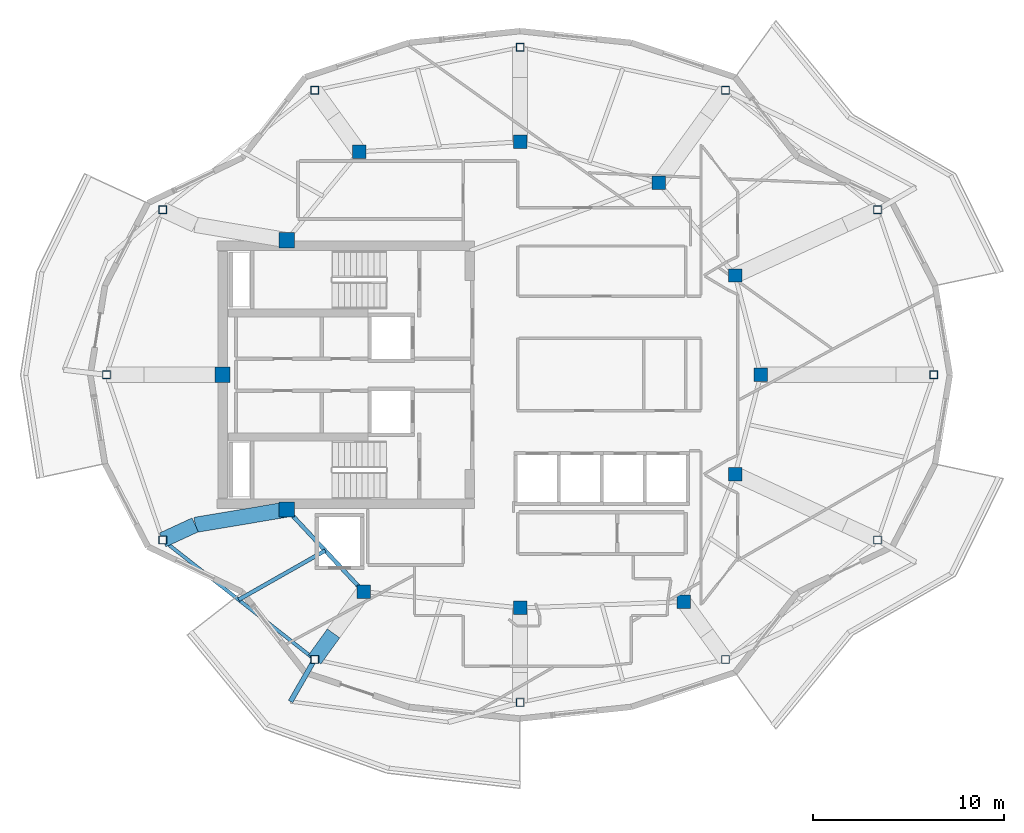
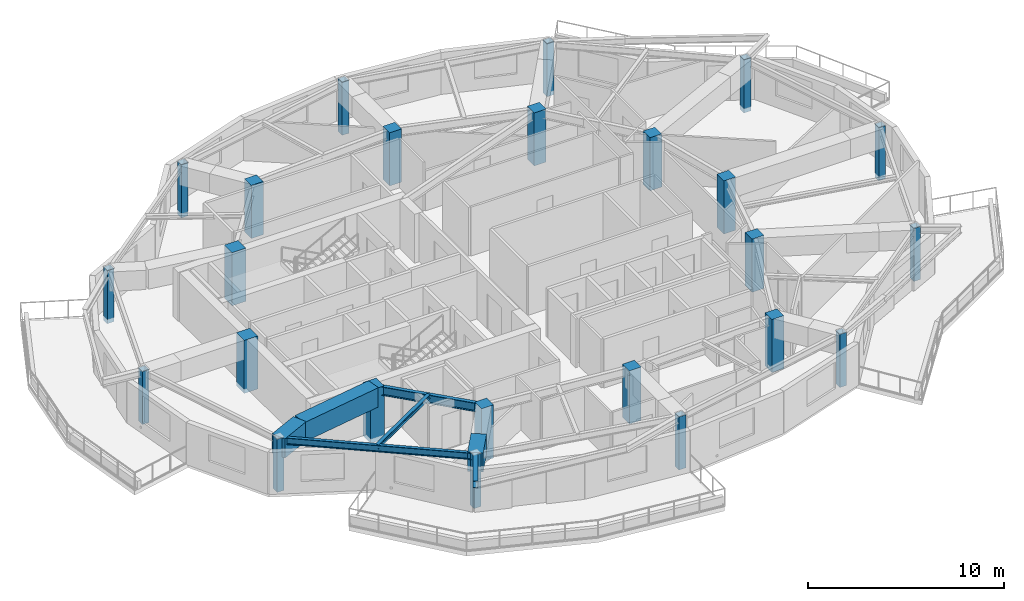
# One storey, part 1 of 11: 24 columns, 7 beams.
"""IFC4 building model written with IfcOpenShell, lengths in metres."""

from ifc_helpers import new_model, si_unit, direction, frame, origin, origin_2d, place, context, subcontext, project, spatial, rectangle, hollow_rectangle, i_section, extrude, material, material_profile, profile_set, type_object, element, save


model = new_model("IFC4")

# Units and contexts
model_context = context("Model", 3, precision=1e-05, world=origin(), true_north=direction((0.0, 1.0)))
body_context = subcontext(model_context, "Body", "Model", "MODEL_VIEW")
ifc_project = project(units=[si_unit("LENGTHUNIT", "METRE"), si_unit("AREAUNIT", "SQUARE_METRE"), si_unit("VOLUMEUNIT", "CUBIC_METRE"), si_unit("PLANEANGLEUNIT", "RADIAN"), si_unit("MASSUNIT", "GRAM", prefix="KILO")], contexts=[model_context])

# Site, building, storey
site_placement = place(None, origin())
site = spatial("IfcSite", under=ifc_project, at=site_placement, CompositionType="ELEMENT")
building_placement = place(site_placement, origin())
building = spatial("IfcBuilding", under=site, at=building_placement, Name="Kolvaren Gate Tower and Convention Centre", CompositionType="ELEMENT")
storey_placement = place(building_placement, frame((0.0, 0.0, 255.800048828125)))
storey = spatial("IfcBuildingStorey", under=building, at=storey_placement, Name="L69", CompositionType="ELEMENT", Elevation=255.800048828125)

# Columns
ifc_material_1 = material(Name="Structural steel ASTM A500 Grade C 345 MPa", Category="steel")
ifc_material_profile_1 = material_profile(ifc_material_1, hollow_rectangle(XDim=0.406005859375, YDim=0.406005859375, WallThickness=0.015869140625, at=origin_2d()), Name="HSS406X406X15.9")
ifc_profile_set_1 = profile_set([ifc_material_profile_1], Name="Structural steel ASTM A500 Grade C 345 MPa")
column_type_1 = type_object("IfcColumnType", Name="STR-COL-HSS406", PredefinedType="COLUMN", material=ifc_profile_set_1)
for number, where, z_axis, x_axis, name in (
    (1, (51.77490234375, 27.0, -0.27001953125), (0.0, 0.0, 1.0), (1.0, 0.0, 0.0), "Tower L69 Perimeter Supercolumn TP-01"),
    (2, (48.8388671875, 35.6435546875, -0.27001953125), (0.0, 0.0, 1.0), (1.0, 0.0, 0.0), "Tower L69 Perimeter Supercolumn TP-02"),
    (3, (40.877685546875, 41.899169921875, -0.27001953125), (0.0, 0.0, 1.0), (1.0, 0.0, 0.0), "Tower L69 Perimeter Supercolumn TP-03"),
    (4, (30.125, 44.14990234375, -0.27001953125), (0.0, 0.0, 1.0), (1.0, 0.0, 0.0), "Tower L69 Perimeter Supercolumn TP-04"),
    (5, (19.372314453125, 41.899169921875, -0.27001953125), (0.0, 0.0, 1.0), (1.0, 0.0, 0.0), "Tower L69 Perimeter Supercolumn TP-05"),
    (6, (11.4111328125, 35.6435546875, -0.27001953125), (0.0, 0.0, 1.0), (1.0, 0.0, 0.0), "Tower L69 Perimeter Supercolumn TP-06"),
    (7, (8.47509765625, 27.0, -0.27001953125), (0.0, 0.0, 1.0), (1.0, 0.0, 0.0), "Tower L69 Perimeter Supercolumn TP-07"),
    (8, (11.4111328125, 18.3564453125, -0.27001953125), (0.0, 0.0, 1.0), (1.0, 0.0, 0.0), "Tower L69 Perimeter Supercolumn TP-08"),
    (9, (19.372314453125, 12.100830078125, -0.27001953125), (0.0, 0.0, 1.0), (1.0, 0.0, 0.0), "Tower L69 Perimeter Supercolumn TP-09"),
    (10, (30.125, 9.85009765625, -0.27001953125), (0.0, 0.0, 1.0), (1.0, 0.0, 0.0), "Tower L69 Perimeter Supercolumn TP-10"),
    (11, (40.877685546875, 12.100830078125, -0.27001953125), (0.0, 0.0, 1.0), (1.0, 0.0, 0.0), "Tower L69 Perimeter Supercolumn TP-11"),
    (12, (48.8388671875, 18.3564453125, -0.27001953125), (0.0, 0.0, 1.0), (1.0, 0.0, 0.0), "Tower L69 Perimeter Supercolumn TP-12"),
):
    element("IfcColumn", number, at=place(storey_placement, frame(where, z_axis=z_axis, x_axis=x_axis)), inside=storey, type_object=column_type_1, Name=name, PredefinedType="COLUMN", context=body_context, shape_type="SweptSolid", body=[
        extrude(hollow_rectangle(XDim=0.406005859375, YDim=0.406005859375, WallThickness=0.015869140625, at=origin_2d()), origin(), (0.0, 0.0, 1.0), 3.300048828125),
    ])
ifc_material_2 = material(Name="Concrete C50/60", Category="concrete")
ifc_material_profile_2 = material_profile(ifc_material_2, rectangle(XDim=0.699951171875, YDim=0.699951171875, at=origin_2d()), Name="RC-COL-700X700")
ifc_profile_set_2 = profile_set([ifc_material_profile_2], Name="Concrete C50/60")
column_type_2 = type_object("IfcColumnType", Name="STR-COL-RC700", PredefinedType="COLUMN", material=ifc_profile_set_2)
for number, where, z_axis, x_axis, name in (
    (13, (42.72509765625, 27.0, -0.27001953125), (0.0, 0.0, 1.0), (1.0, 0.0, 0.0), "Tower L69 Interior Column TI-01"),
    (14, (41.382080078125, 32.199462890625, -0.27001953125), (0.0, 0.0, 1.0), (1.0, 0.0, 0.0), "Tower L69 Interior Column TI-02"),
    (15, (37.381591796875, 37.054931640625, -0.27001953125), (0.0, 0.0, 1.0), (1.0, 0.0, 0.0), "Tower L69 Interior Column TI-03"),
    (16, (30.125, 39.199951171875, -0.27001953125), (0.0, 0.0, 1.0), (1.0, 0.0, 0.0), "Tower L69 Interior Column TI-04"),
    (17, (21.697998046875, 38.6767578125, -0.27001953125), (0.0, 0.0, 1.0), (1.0, 0.0, 0.0), "Tower L69 Interior Column TI-05"),
    (18, (21.93212890625, 15.647705078125, -0.27001953125), (0.0, 0.0, 1.0), (1.0, 0.0, 0.0), "Tower L69 Interior Column TI-06"),
    (19, (30.125, 14.800048828125, -0.27001953125), (0.0, 0.0, 1.0), (1.0, 0.0, 0.0), "Tower L69 Interior Column TI-07"),
    (20, (38.6982421875, 15.12060546875, -0.27001953125), (0.0, 0.0, 1.0), (1.0, 0.0, 0.0), "Tower L69 Interior Column TI-08"),
    (21, (41.382080078125, 21.800537109375, -0.27001953125), (0.0, 0.0, 1.0), (1.0, 0.0, 0.0), "Tower L69 Interior Column TI-09"),
):
    element("IfcColumn", number, at=place(storey_placement, frame(where, z_axis=z_axis, x_axis=x_axis)), inside=storey, type_object=column_type_2, Name=name, PredefinedType="COLUMN", context=body_context, shape_type="SweptSolid", body=[
        extrude(rectangle(XDim=0.699951171875, YDim=0.699951171875, at=origin_2d()), origin(), (0.0, 0.0, 1.0), 3.300048828125),
    ])
ifc_material_3 = material(Name="Concrete C60/75", Category="concrete")
ifc_material_profile_3 = material_profile(ifc_material_3, rectangle(XDim=0.800048828125, YDim=0.800048828125, at=origin_2d()), Name="RC-COL-800X800")
ifc_profile_set_3 = profile_set([ifc_material_profile_3], Name="Concrete C60/75")
column_type_3 = type_object("IfcColumnType", Name="STR-PIL-RC800", PredefinedType="PILASTER", material=ifc_profile_set_3)
for number, where, z_axis, x_axis, name in (
    (22, (17.9140625, 34.050048828125, -0.27001953125), (0.0, 0.0, 1.0), (1.0, 0.0, 0.0), "Tower L69 Core Boundary Pilaster TC-05"),
    (23, (14.550048828125, 27.0, -0.27001953125), (0.0, 0.0, 1.0), (1.0, 0.0, 0.0), "Tower L69 Core Boundary Pilaster TC-06"),
    (24, (17.9140625, 19.949951171875, -0.27001953125), (0.0, 0.0, 1.0), (1.0, 0.0, 0.0), "Tower L69 Core Boundary Pilaster TC-07"),
):
    element("IfcColumn", number, at=place(storey_placement, frame(where, z_axis=z_axis, x_axis=x_axis)), inside=storey, type_object=column_type_3, Name=name, PredefinedType="PILASTER", context=body_context, shape_type="SweptSolid", body=[
        extrude(rectangle(XDim=0.800048828125, YDim=0.800048828125, at=origin_2d()), origin(), (0.0, 0.0, 1.0), 3.300048828125),
    ])

# Beams
ifc_material_4 = material(Name="Structural steel ASTM A992 Grade 345 MPa", Category="steel")
ifc_material_profile_4 = material_profile(ifc_material_4, i_section(OverallWidth=0.260009765625, OverallDepth=0.419921875, WebThickness=0.013427734375, FlangeThickness=0.0224609375, at=origin_2d()), Name="W410X132")
ifc_profile_set_4 = profile_set([ifc_material_profile_4], Name="Structural steel ASTM A992 Grade 345 MPa")
beam_type_1 = type_object("IfcBeamType", Name="STR-BM-W410X132", PredefinedType="BEAM", material=ifc_profile_set_4)
beam_1_placement = place(storey_placement, frame((19.372314453125, 12.100830078125, 2.820556640625), z_axis=(-0.497949174437, -0.867206215198, 0.0), x_axis=(0.867206215198, -0.497949174437, 0.0)))
element("IfcBeam", 25, at=beam_1_placement, inside=storey, type_object=beam_type_1, Name="Tower L70 Planted Balcony Outrigger Cantilever BC-3A", PredefinedType="BEAM", context=body_context, shape_type="SweptSolid", body=[
    extrude(i_section(OverallWidth=0.260009765625, OverallDepth=0.419921875, WebThickness=0.013427734375, FlangeThickness=0.0224609375, at=origin_2d()), origin(), (0.0, 0.0, 1.0), 2.540283203125),
])
ifc_material_profile_5 = material_profile(ifc_material_4, i_section(OverallWidth=0.2119140625, OverallDepth=0.5439453125, WebThickness=0.01318359375, FlangeThickness=0.021240234375, at=origin_2d()), Name="W530X123")
ifc_profile_set_5 = profile_set([ifc_material_profile_5], Name="Structural steel ASTM A992 Grade 345 MPa")
beam_type_2 = type_object("IfcBeamType", Name="STR-BM-W530X123", PredefinedType="BEAM", material=ifc_profile_set_5)
beam_2_placement = place(storey_placement, frame((17.9140625, 19.949951171875, 2.758056640625), z_axis=(0.682557592987, -0.730831808459, 0.0), x_axis=(0.730831808459, 0.682557592987, 0.0)))
element("IfcBeam", 26, at=beam_2_placement, inside=storey, type_object=beam_type_2, Name="Tower L69 Primary Ring Girder G-06", PredefinedType="BEAM", context=body_context, shape_type="SweptSolid", body=[
    extrude(i_section(OverallWidth=0.2119140625, OverallDepth=0.5439453125, WebThickness=0.01318359375, FlangeThickness=0.021240234375, at=origin_2d()), origin(), (0.0, 0.0, 1.0), 5.88671875),
])
ifc_material_profile_6 = material_profile(ifc_material_4, i_section(OverallWidth=0.202880859375, OverallDepth=0.251953125, WebThickness=0.008056640625, FlangeThickness=0.013427734375, at=origin_2d()), Name="W250X58")
ifc_profile_set_6 = profile_set([ifc_material_profile_6], Name="Structural steel ASTM A992 Grade 345 MPa")
beam_type_3 = type_object("IfcBeamType", Name="STR-JS-W250X58", PredefinedType="JOIST", material=ifc_profile_set_6)
beam_3_placement = place(storey_placement, frame((19.923095703125, 17.798828125, 2.904052734375), z_axis=(-0.869819092813, -0.493370799479, 0.0), x_axis=(0.493370799479, -0.869819092813, 0.0)))
element("IfcBeam", 27, at=beam_3_placement, inside=storey, type_object=beam_type_3, Name="Tower L69 Secondary Composite Floor Joist J-08.1", PredefinedType="JOIST", context=body_context, shape_type="SweptSolid", body=[
    extrude(i_section(OverallWidth=0.202880859375, OverallDepth=0.251953125, WebThickness=0.008056640625, FlangeThickness=0.013427734375, at=origin_2d()), origin(), (0.0, 0.0, 1.0), 5.209716796875),
])
ifc_material_profile_7 = material_profile(ifc_material_4, i_section(OverallWidth=0.180908203125, OverallDepth=0.4169921875, WebThickness=0.010986328125, FlangeThickness=0.018310546875, at=origin_2d()), Name="W410X85")
ifc_profile_set_7 = profile_set([ifc_material_profile_7], Name="Structural steel ASTM A992 Grade 345 MPa")
beam_type_4 = type_object("IfcBeamType", Name="STR-SP-W410X85", PredefinedType="SPANDREL", material=ifc_profile_set_7)
beam_4_placement = place(storey_placement, frame((11.4111328125, 18.3564453125, 2.821533203125), z_axis=(0.786299093723, -0.61784604491, 0.0), x_axis=(0.61784604491, 0.786299093723, 0.0)))
element("IfcBeam", 28, at=beam_4_placement, inside=storey, type_object=beam_type_4, Name="Tower L69 Perimeter Spandrel Beam SP-08", PredefinedType="SPANDREL", context=body_context, shape_type="SweptSolid", body=[
    extrude(i_section(OverallWidth=0.180908203125, OverallDepth=0.4169921875, WebThickness=0.010986328125, FlangeThickness=0.018310546875, at=origin_2d()), origin(), (0.0, 0.0, 1.0), 10.124755859375),
])
ifc_material_5 = material(Name="Concrete C70/85", Category="concrete")
ifc_material_profile_8 = material_profile(ifc_material_5, rectangle(XDim=0.800048828125, YDim=1.199951171875, at=origin_2d()), Name="RC-BM-800X1200")
ifc_profile_set_8 = profile_set([ifc_material_profile_8], Name="Concrete C70/85")
beam_type_5 = type_object("IfcBeamType", Name="STR-TG-RC800X1200", PredefinedType="USERDEFINED", material=ifc_profile_set_8)
beam_5_placement = place(storey_placement, frame((17.9140625, 19.949951171875, 2.430419921875), z_axis=(-0.986176061403, -0.165700862749, 0.0), x_axis=(0.165700862749, -0.986176061403, 0.0)))
element("IfcBeam", 29, at=beam_5_placement, inside=storey, type_object=beam_type_5, Name="Tower L69 Zone-Transition Radial Transfer Girder XFG-08A", ObjectType="TRANSFER GIRDER", PredefinedType="USERDEFINED", context=body_context, shape_type="SweptSolid", body=[
    extrude(rectangle(XDim=0.800048828125, YDim=1.199951171875, at=origin_2d()), origin(), (0.0, 0.0, 1.0), 4.864990234375),
])
beam_6_placement = place(storey_placement, frame((13.1162109375, 19.143798828125, 2.430419921875), z_axis=(-0.907879469125, -0.419231284068, 0.0), x_axis=(0.419231284068, -0.907879469125, 0.0)))
element("IfcBeam", 30, at=beam_6_placement, inside=storey, type_object=beam_type_5, Name="Tower L69 Zone-Transition Radial Transfer Girder XFG-08B", ObjectType="TRANSFER GIRDER", PredefinedType="USERDEFINED", context=body_context, shape_type="SweptSolid", body=[
    extrude(rectangle(XDim=0.800048828125, YDim=1.199951171875, at=origin_2d()), origin(), (0.0, 0.0, 1.0), 1.878173828125),
])
beam_7_placement = place(storey_placement, frame((20.356689453125, 13.46484375, 2.430419921875), z_axis=(-0.585199061098, -0.810889671219, 0.0), x_axis=(0.810889671219, -0.585199061098, 0.0)))
element("IfcBeam", 31, at=beam_7_placement, inside=storey, type_object=beam_type_5, Name="Tower L69 Zone-Transition Radial Transfer Girder XFG-09B", ObjectType="TRANSFER GIRDER", PredefinedType="USERDEFINED", context=body_context, shape_type="SweptSolid", body=[
    extrude(rectangle(XDim=0.800048828125, YDim=1.199951171875, at=origin_2d()), origin(), (0.0, 0.0, 1.0), 1.68212890625),
])

save(model, "model.ifc")
